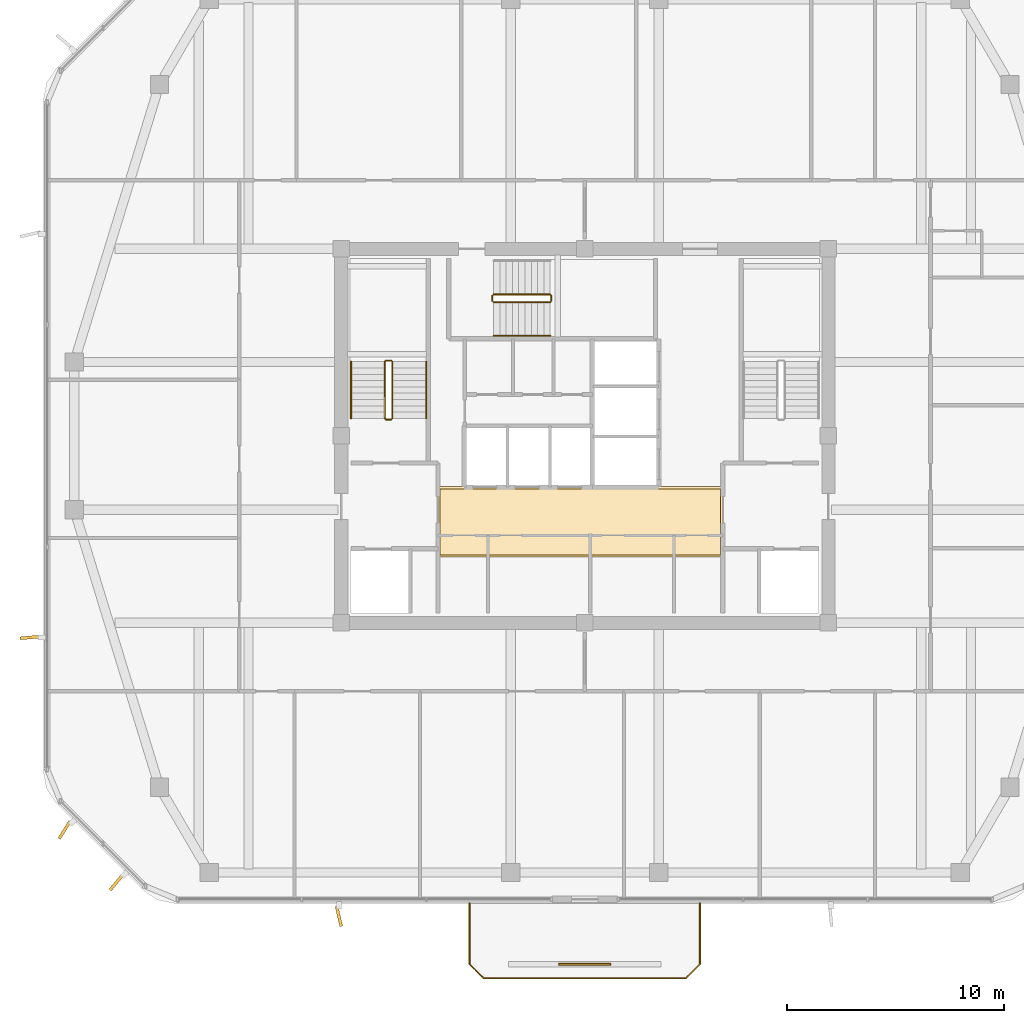
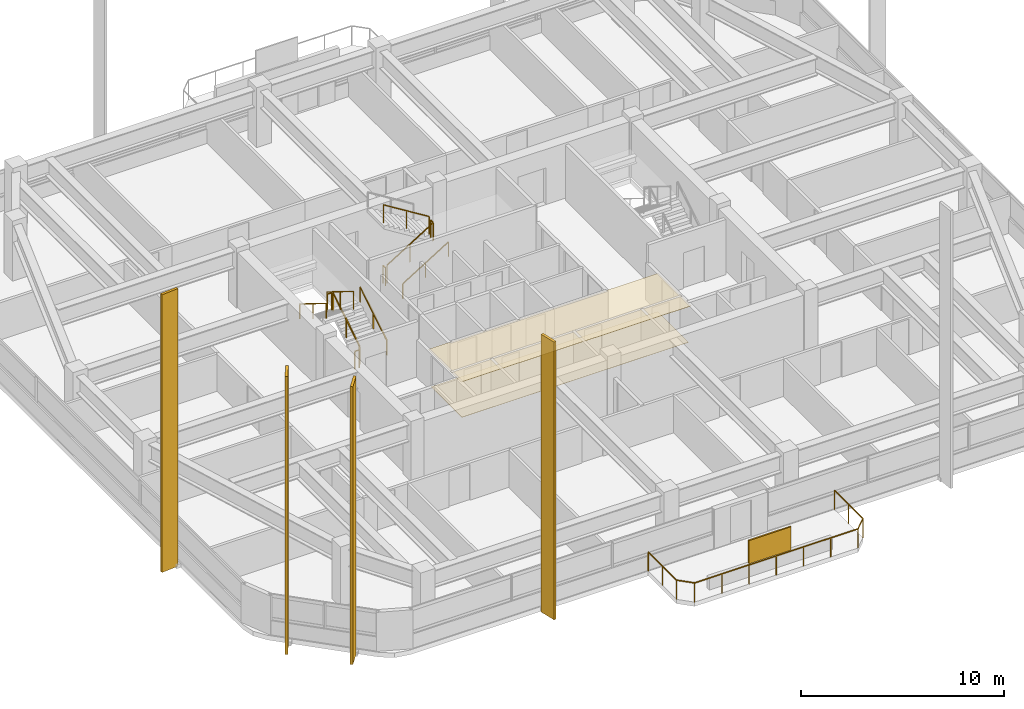
# One storey, part 11 of 13: 12 railings, 5 shading devices, 2 coverings.
"""IFC4 building model written with IfcOpenShell, lengths in metres."""

import ifcopenshell
import ifcopenshell.guid

model = None  # the IFC model being written
_history = None  # IfcOwnerHistory: only IFC2X3 demands one
_inside = {}  # id of a spatial element -> (the spatial element, [elements in it])
_under = {}  # id of a project, library or spatial element -> (it, [spatial elements below it])
_declared = {}  # id of a project -> (the project, [libraries it declares])
_typed = {}  # id of a type object -> (the type object, [elements of that type])
_made_of = {}  # id of a material, layer set ... -> (it, [elements and type objects made of it])


def new_model(schema):
    """Start an empty IFC model of exactly this schema.

    Asked for "IFC4X3", IfcOpenShell would pick the latest addendum, in which some entities
    have other attributes; the version numbers below select the first issue.
    IFC2X3 requires an IfcOwnerHistory on every rooted entity: one is made here for all.
    """
    global model, _history
    if schema == "IFC4X3":
        model = ifcopenshell.file(schema_version=(4, 3, 0, 0))
    else:
        model = ifcopenshell.file(schema=schema)
    _inside.clear()
    _under.clear()
    _declared.clear()
    _typed.clear()
    _made_of.clear()
    _history = None
    if model.schema == "IFC2X3":
        org = make("IfcOrganization", Name="unknown")
        user = make(
            "IfcPersonAndOrganization",
            ThePerson=make("IfcPerson", FamilyName="unknown"),
            TheOrganization=org,
        )
        app = make(
            "IfcApplication",
            ApplicationDeveloper=org,
            Version="unknown",
            ApplicationFullName="unknown",
            ApplicationIdentifier="unknown",
        )
        _history = make(
            "IfcOwnerHistory",
            OwningUser=user,
            OwningApplication=app,
            ChangeAction="ADDED",
            CreationDate=0,
        )
    return model


def make(cls, **values):
    """One entity of the class cls with the attributes given. An attribute that is None is left unset."""
    return model.create_entity(
        cls, **{name: value for name, value in values.items() if value is not None}
    )


def rooted(cls, **values):
    """An entity with a GlobalId (a new one), such as an element, a storey or a relation."""
    return make(cls, GlobalId=ifcopenshell.guid.new(), OwnerHistory=_history, **values)


def si_unit(unit_type, name, prefix=None):
    """IfcSIUnit, for example si_unit("LENGTHUNIT", "METRE", prefix="MILLI")."""
    return make("IfcSIUnit", UnitType=unit_type, Prefix=prefix, Name=name)


def derived_unit(unit_type, elements):
    """IfcDerivedUnit: a product of units, each with its exponent."""
    return make(
        "IfcDerivedUnit",
        Elements=[
            make("IfcDerivedUnitElement", Unit=unit, Exponent=power)
            for unit, power in elements
        ],
        UnitType=unit_type,
    )


def assignment(units):
    """IfcUnitAssignment: the units of a project."""
    return None if units is None else make("IfcUnitAssignment", Units=units)


def point(xyz):
    """IfcCartesianPoint."""
    return None if xyz is None else make("IfcCartesianPoint", Coordinates=xyz)


def direction(xyz):
    """IfcDirection."""
    return None if xyz is None else make("IfcDirection", DirectionRatios=xyz)


def frame(location, z_axis=None, x_axis=None):
    """IfcAxis2Placement3D, a coordinate frame: its origin and axes. An axis left out is left unset."""
    return make(
        "IfcAxis2Placement3D",
        Location=point(location),
        Axis=direction(z_axis),
        RefDirection=direction(x_axis),
    )


def frame_2d(location, x_axis=None):
    """IfcAxis2Placement2D, a coordinate frame in the plane: its origin and x axis."""
    return make(
        "IfcAxis2Placement2D", Location=point(location), RefDirection=direction(x_axis)
    )


def origin():
    """The frame at (0, 0, 0) with its axes left unset."""
    return frame((0.0, 0.0, 0.0))


def origin_2d():
    """The frame at (0, 0) in the plane with its x axis left unset."""
    return frame_2d((0.0, 0.0))


def place(relative_to, where):
    """IfcLocalPlacement: puts the frame where relative to a parent placement (None: the world)."""
    return make(
        "IfcLocalPlacement", PlacementRelTo=relative_to, RelativePlacement=where
    )


def context(
    kind, dimensions, precision=None, world=None, true_north=None, identifier=None
):
    """IfcGeometricRepresentationContext, for example the 3D "Model" context."""
    return make(
        "IfcGeometricRepresentationContext",
        ContextIdentifier=identifier,
        ContextType=kind,
        CoordinateSpaceDimension=dimensions,
        Precision=precision,
        WorldCoordinateSystem=world,
        TrueNorth=true_north,
    )


def subcontext(parent, identifier, kind, view, scale=None):
    """IfcGeometricRepresentationSubContext, for example "Body" below "Model"."""
    return make(
        "IfcGeometricRepresentationSubContext",
        ContextIdentifier=identifier,
        ContextType=kind,
        ParentContext=parent,
        TargetScale=scale,
        TargetView=view,
    )


def project(units=None, contexts=None):
    """IfcProject with its units and contexts."""
    return rooted(
        "IfcProject",
        Name="project",
        RepresentationContexts=contexts,
        UnitsInContext=assignment(units),
    )


def spatial(cls, under=None, at=None, **own):
    """A site, building, storey or space (cls), placed at a placement, below another one or the project."""
    s = rooted(cls, ObjectPlacement=at, **own)
    if under is not None:
        _under.setdefault(under.id(), (under, []))[1].append(s)
    return s


def polyline(points):
    """IfcPolyline through the points."""
    return make("IfcPolyline", Points=[point(p) for p in points])


def profile(cls, at=None, kind="AREA", **sizes):
    """A parametric profile (cls). Its sizes go by their IFC names, for example OverallWidth=200.0."""
    return make(cls, ProfileType=kind, Position=at, **sizes)


def rectangle(**sizes):
    """IfcRectangleProfileDef."""
    return profile("IfcRectangleProfileDef", **sizes)


def outline(outer, holes=None, kind="AREA"):
    """IfcArbitraryClosedProfileDef: a profile drawn as a closed curve; with holes, ...WithVoids."""
    if holes is None:
        return make("IfcArbitraryClosedProfileDef", ProfileType=kind, OuterCurve=outer)
    return make(
        "IfcArbitraryProfileDefWithVoids",
        ProfileType=kind,
        OuterCurve=outer,
        InnerCurves=holes,
    )


def extrude(swept, where, along, depth):
    """IfcExtrudedAreaSolid: the profile swept, set in the frame where, extruded along a direction by depth."""
    return make(
        "IfcExtrudedAreaSolid",
        SweptArea=swept,
        Position=where,
        ExtrudedDirection=direction(along),
        Depth=depth,
    )


def shape(context_of_items, identifier, shape_type, items):
    """IfcShapeRepresentation: the items that make up one representation, for example the "Body"."""
    return make(
        "IfcShapeRepresentation",
        ContextOfItems=context_of_items,
        RepresentationIdentifier=identifier,
        RepresentationType=shape_type,
        Items=items,
    )


def material(Name=None, Category=None):
    """IfcMaterial."""
    return make("IfcMaterial", Name=Name, Category=Category)


def layer(
    of_material, thickness, ventilated=None, Name=None, Category=None, Priority=None
):
    """IfcMaterialLayer: one layer of a wall or slab, of a material (None: an air gap)."""
    return make(
        "IfcMaterialLayer",
        Material=of_material,
        LayerThickness=thickness,
        IsVentilated=ventilated,
        Name=Name,
        Category=Category,
        Priority=Priority,
    )


def layer_set(layers, Name=None):
    """IfcMaterialLayerSet."""
    return make("IfcMaterialLayerSet", MaterialLayers=layers, LayerSetName=Name)


def made_of(thing, what):
    """Note that an element or type object is made of a material, layer set ...; save() writes the relation."""
    if what is not None:
        _made_of.setdefault(what.id(), (what, []))[1].append(thing)
    return thing


def type_object(cls, material=None, **own):
    """A type object (cls), such as IfcWallType, which elements share."""
    return made_of(rooted(cls, **own), material)


def element(
    cls,
    number,
    at=None,
    inside=None,
    cuts=None,
    type_object=None,
    material=None,
    context=None,
    identifier="Body",
    shape_type=None,
    held_by="IfcProductDefinitionShape",
    body=None,
    shapes=None,
    **own,
):
    """One element of the class cls, such as IfcWall. Its Tag is "e" and its number.

    at: its placement. inside: the storey or other place that contains it. cuts: it is an
    opening in that element (IfcRelVoidsElement). A single representation is given by context,
    identifier, shape_type and body (its items); several are given by shapes. held_by: the class
    of the entity that holds the representations. save() writes the other relations.
    """
    e = rooted(cls, Tag="e%d" % number, ObjectPlacement=at, **own)
    if body is not None:
        shapes = [shape(context, identifier, shape_type, body)]
    if shapes is not None:
        e.Representation = make(held_by, Representations=shapes)
    if inside is not None:
        _inside.setdefault(inside.id(), (inside, []))[1].append(e)
    if cuts is not None:
        rooted(
            "IfcRelVoidsElement", RelatingBuildingElement=cuts, RelatedOpeningElement=e
        )
    if type_object is not None:
        _typed.setdefault(type_object.id(), (type_object, []))[1].append(e)
    return made_of(e, material)


def aggregate(whole, parts):
    """IfcRelAggregates: a whole, such as a stair, and the parts it consists of."""
    return rooted("IfcRelAggregates", RelatingObject=whole, RelatedObjects=parts)


def save(model, path):
    """Write the relations noted so far, then the file.

    IfcRelAggregates (storeys below a building ...), IfcRelContainedInSpatialStructure (elements
    in a storey), IfcRelDefinesByType, IfcRelAssociatesMaterial and IfcRelDeclares: one each for
    every whole, place, type object, material and project.
    """
    for whole, parts in _under.values():
        aggregate(whole, parts)
    for where, things in _inside.values():
        rooted(
            "IfcRelContainedInSpatialStructure",
            RelatedElements=things,
            RelatingStructure=where,
        )
    for kind, things in _typed.values():
        rooted("IfcRelDefinesByType", RelatedObjects=things, RelatingType=kind)
    for what, things in _made_of.values():
        rooted("IfcRelAssociatesMaterial", RelatedObjects=things, RelatingMaterial=what)
    for by, libraries in _declared.values():
        rooted("IfcRelDeclares", RelatingContext=by, RelatedDefinitions=libraries)
    model.write(path)


model = new_model("IFC4")

# Units and contexts
model_context = context("Model", 3, precision=1e-05, world=origin(), true_north=direction((0.0, 1.0)))
body_context = subcontext(model_context, "Body", "Model", "MODEL_VIEW")
ifc_project = project(units=[si_unit("LENGTHUNIT", "METRE"), si_unit("AREAUNIT", "SQUARE_METRE"), si_unit("VOLUMEUNIT", "CUBIC_METRE"), si_unit("PLANEANGLEUNIT", "RADIAN"), si_unit("MASSUNIT", "GRAM", prefix="KILO"), derived_unit("THERMALTRANSMITTANCEUNIT", [(si_unit("POWERUNIT", "WATT"), 1), (si_unit("LENGTHUNIT", "METRE"), -2), (si_unit("THERMODYNAMICTEMPERATUREUNIT", "KELVIN"), -1)])], contexts=[model_context])

# Site, building, storey
site_placement = place(None, origin())
site = spatial("IfcSite", under=ifc_project, at=site_placement, CompositionType="ELEMENT")
building_placement = place(site_placement, origin())
building = spatial("IfcBuilding", under=site, at=building_placement, Name="Koralith Skygarden Medical Center", CompositionType="ELEMENT")
storey_placement = place(building_placement, frame((0.0, 0.0, 282.419921875)))
storey = spatial("IfcBuildingStorey", under=building, at=storey_placement, Name="L73", CompositionType="ELEMENT", Elevation=282.419921875)

# Covering
ifc_material_1 = material(Name="Acoustic Mineral Tile")
ifc_layer_1 = layer(ifc_material_1, 0.02001953125)
ifc_layer_set_1 = layer_set([ifc_layer_1], Name="Acoustic Mineral Tile")
covering_type_1 = type_object("IfcCoveringType", Name="Acoustic Hygienic Mineral Ceiling 20", PredefinedType="CEILING", material=ifc_layer_set_1)
covering_1_placement = place(storey_placement, frame((0.0, 0.0, 2.215087890625)))
element("IfcCovering", 1, at=covering_1_placement, inside=storey, type_object=covering_type_1, Name="L73 Core Lobby Acoustic Ceiling", PredefinedType="CEILING", context=body_context, shape_type="SweptSolid", body=[
    extrude(outline(polyline([(30.25, 20.320068359375), (43.35009765625, 20.320068359375), (43.35009765625, 23.56005859375), (30.25, 23.56005859375), (30.25, 20.320068359375)])), origin(), (0.0, 0.0, 1.0), 0.02001953125),
])

# Shading devices
ifc_material_2 = material(Name="Aluminium 6063-T6", Category="aluminium")
shading_device_type_1 = type_object("IfcShadingDeviceType", Name="Limestone-Clad Solar Storm Fin 950", PredefinedType="USERDEFINED", material=ifc_material_2)
for number, where, z_axis, x_axis, name in (
    (2, (25.68994140625, 3.804931640625, -0.199951171875), (0.0, 0.0, 1.0), (0.225053088905, -0.974346502623, 0.0), "L73 S Harmonic Solar Storm Fin 1"),
    (3, (11.5048828125, 16.6298828125, -0.199951171875), (0.0, 0.0, 1.0), (-0.995897043604, -0.090493527621, 0.0), "L73 W Harmonic Solar Storm Fin 2"),
    (4, (13.080078125, 7.778076171875, -0.199951171875), (0.0, 0.0, 1.0), (-0.529830453939, -0.848103584522, 0.0), "L73 SW Harmonic Solar Storm Fin 1"),
    (5, (15.47802734375, 5.3798828125, -0.199951171875), (0.0, 0.0, 1.0), (-0.640216965862, -0.76819413993, 0.0), "L73 SW Harmonic Solar Storm Fin 2"),
):
    element("IfcShadingDevice", number, at=place(storey_placement, frame(where, z_axis=z_axis, x_axis=x_axis)), inside=storey, type_object=shading_device_type_1, Name=name, ObjectType="SOLAR FIN", PredefinedType="USERDEFINED", context=body_context, shape_type="SweptSolid", body=[
        extrude(rectangle(XDim=0.949951171875, YDim=0.139892578125, at=origin_2d()), origin(), (0.0, 0.0, 1.0), 16.7099609375),
    ])

# Railing
ifc_material_3 = material(Name="Steel ASTM A500 Grade C", Category="steel")
railing_type_1 = type_object("IfcRailingType", Name="Outdoor Terrace & Balcony Safety Guardrail 1180", PredefinedType="GUARDRAIL", material=ifc_material_3)
railing_1_placement = place(storey_placement, frame((31.699951171875, 4.39990234375, 0.0)))
element("IfcRailing", 6, at=railing_1_placement, inside=storey, type_object=railing_type_1, Name="L73 S Balcony Perimeter Guardrail", PredefinedType="GUARDRAIL", context=body_context, shape_type="SweptSolid", body=[
    extrude(rectangle(XDim=0.050048828125, YDim=0.050048828125, at=origin_2d()), frame((0.0, -0.001953125, 1.15478515625), z_axis=(0.0, -1.0, 0.0), x_axis=(1.0, 0.0, 0.0)), (0.0, 0.0, 1.0), 2.7958984375),
    extrude(rectangle(XDim=0.050048828125, YDim=0.050048828125, at=origin_2d()), frame((0.00146484375, -2.80126953125, 1.15478515625), z_axis=(0.707106781187, -0.707106781187, 0.0), x_axis=(0.707106781187, 0.707106781187, 0.0)), (0.0, 0.0, 1.0), 0.91552734375),
    extrude(rectangle(XDim=0.050048828125, YDim=0.050048828125, at=origin_2d()), frame((0.652099609375, -3.449951171875, 1.15478515625), z_axis=(1.0, 0.0, 0.0), x_axis=(0.0, 1.0, 0.0)), (0.0, 0.0, 1.0), 9.2958984375),
    extrude(rectangle(XDim=0.050048828125, YDim=0.050048828125, at=origin_2d()), frame((9.951416015625, -3.448486328125, 1.15478515625), z_axis=(0.707106781187, 0.707106781187, 0.0), x_axis=(-0.707106781187, 0.707106781187, 0.0)), (0.0, 0.0, 1.0), 0.91552734375),
    extrude(rectangle(XDim=0.050048828125, YDim=0.050048828125, at=origin_2d()), frame((10.60009765625, -2.7978515625, 1.15478515625), z_axis=(0.0, 1.0, 0.0), x_axis=(-1.0, 0.0, 0.0)), (0.0, 0.0, 1.0), 2.7958984375),
    extrude(rectangle(XDim=0.0419921875, YDim=0.0419921875, at=origin_2d()), origin(), (0.0, 0.0, 1.0), 1.1279296875),
    extrude(rectangle(XDim=0.0419921875, YDim=0.0419921875, at=origin_2d()), frame((0.0, -1.39990234375, 0.0)), (0.0, 0.0, 1.0), 1.1279296875),
    extrude(rectangle(XDim=0.0419921875, YDim=0.0419921875, at=origin_2d()), frame((0.0, -2.7998046875, 0.0)), (0.0, 0.0, 1.0), 1.1279296875),
    extrude(rectangle(XDim=0.0419921875, YDim=0.0419921875, at=origin_2d()), frame((0.650146484375, -3.449951171875, 0.0)), (0.0, 0.0, 1.0), 1.1279296875),
    extrude(rectangle(XDim=0.0419921875, YDim=0.0419921875, at=origin_2d()), frame((2.2001953125, -3.449951171875, 0.0)), (0.0, 0.0, 1.0), 1.1279296875),
    extrude(rectangle(XDim=0.0419921875, YDim=0.0419921875, at=origin_2d()), frame((3.75, -3.449951171875, 0.0)), (0.0, 0.0, 1.0), 1.1279296875),
    extrude(rectangle(XDim=0.0419921875, YDim=0.0419921875, at=origin_2d()), frame((5.300048828125, -3.449951171875, 0.0)), (0.0, 0.0, 1.0), 1.1279296875),
    extrude(rectangle(XDim=0.0419921875, YDim=0.0419921875, at=origin_2d()), frame((6.85009765625, -3.449951171875, 0.0)), (0.0, 0.0, 1.0), 1.1279296875),
    extrude(rectangle(XDim=0.0419921875, YDim=0.0419921875, at=origin_2d()), frame((8.39990234375, -3.449951171875, 0.0)), (0.0, 0.0, 1.0), 1.1279296875),
    extrude(rectangle(XDim=0.0419921875, YDim=0.0419921875, at=origin_2d()), frame((9.949951171875, -3.449951171875, 0.0)), (0.0, 0.0, 1.0), 1.1279296875),
    extrude(rectangle(XDim=0.0419921875, YDim=0.0419921875, at=origin_2d()), frame((10.60009765625, -2.7998046875, 0.0)), (0.0, 0.0, 1.0), 1.1279296875),
    extrude(rectangle(XDim=0.0419921875, YDim=0.0419921875, at=origin_2d()), frame((10.60009765625, -1.39990234375, 0.0)), (0.0, 0.0, 1.0), 1.1279296875),
    extrude(rectangle(XDim=0.0419921875, YDim=0.0419921875, at=origin_2d()), frame((10.60009765625, 0.0, 0.0)), (0.0, 0.0, 1.0), 1.1279296875),
])

# Shading device
ifc_layer_2 = layer(ifc_material_2, 0.080078125)
ifc_layer_set_2 = layer_set([ifc_layer_2], Name="Aluminium 6063-T6")
shading_device_type_2 = type_object("IfcShadingDeviceType", Name="Perforated Biophilic Balcony Trellis Screen", PredefinedType="USERDEFINED", material=ifc_layer_set_2)
shading_device_placement = place(storey_placement, frame((37.0, 1.60009765625, 0.72021484375), z_axis=(0.0, 0.0, 1.0), x_axis=(1.0, 0.0, 0.0)))
element("IfcShadingDevice", 7, at=shading_device_placement, inside=storey, type_object=shading_device_type_2, Name="L73 S Biophilic Balcony Trellis Screen", ObjectType="HURRICANE SCREEN", PredefinedType="USERDEFINED", context=body_context, shape_type="SweptSolid", body=[
    extrude(rectangle(XDim=2.39990234375, YDim=0.080078125, at=origin_2d()), origin(), (0.0, 0.0, 1.0), 1.39990234375),
])

# Covering
ifc_material_4 = material(Name="Medical Terrazzo Flooring")
ifc_layer_3 = layer(ifc_material_4, 0.014892578125)
ifc_layer_set_3 = layer_set([ifc_layer_3], Name="Medical Terrazzo Flooring")
covering_type_2 = type_object("IfcCoveringType", Name="Seamless Antimicrobial Terrazzo Flooring 15", PredefinedType="FLOORING", material=ifc_layer_set_3)
covering_2_placement = place(storey_placement, origin())
element("IfcCovering", 8, at=covering_2_placement, inside=storey, type_object=covering_type_2, Name="L73 Core Lobby Terrazzo Flooring", PredefinedType="FLOORING", context=body_context, shape_type="SweptSolid", body=[
    extrude(outline(polyline([(30.35009765625, 20.419921875), (43.25, 20.419921875), (43.25, 23.4599609375), (30.35009765625, 23.4599609375), (30.35009765625, 20.419921875)])), origin(), (0.0, 0.0, 1.0), 0.01513671875),
])

# Railings
railing_type_2 = type_object("IfcRailingType", Name="Stair Flight Tubular Handrail 920", PredefinedType="HANDRAIL", material=ifc_material_3)
railing_2_placement = place(storey_placement, frame((29.699951171875, 26.699951171875, 0.18017578125)))
element("IfcRailing", 9, at=railing_2_placement, inside=storey, type_object=railing_type_2, Name="L73 ST1 stair handrail 1", PredefinedType="HANDRAIL", context=body_context, shape_type="SweptSolid", body=[
    extrude(rectangle(XDim=0.050048828125, YDim=0.050048828125, at=origin_2d()), frame((0.0, 0.001708984375, 0.89599609375), z_axis=(0.0, 0.849668407637, 0.527317358963), x_axis=(-1.0, 0.0, 0.0)), (0.0, 0.0, 1.0), 3.06787109375),
    extrude(rectangle(XDim=0.0419921875, YDim=0.0419921875, at=origin_2d()), origin(), (0.0, 0.0, 1.0), 0.867919921875),
    extrude(rectangle(XDim=0.0419921875, YDim=0.0419921875, at=origin_2d()), frame((0.0, 1.30517578125, 0.81005859375)), (0.0, 0.0, 1.0), 0.867919921875),
    extrude(rectangle(XDim=0.0419921875, YDim=0.0419921875, at=origin_2d()), frame((0.0, 2.610107421875, 1.619873046875)), (0.0, 0.0, 1.0), 0.867919921875),
])
railing_3_placement = place(storey_placement, frame((26.25, 29.31005859375, 1.97998046875)))
element("IfcRailing", 10, at=railing_3_placement, inside=storey, type_object=railing_type_2, Name="L73 ST1 stair handrail 2", PredefinedType="HANDRAIL", context=body_context, shape_type="SweptSolid", body=[
    extrude(rectangle(XDim=0.050048828125, YDim=0.050048828125, at=origin_2d()), frame((0.0, -0.001708984375, 0.89599609375), z_axis=(0.0, -0.849632798774, 0.527374731332), x_axis=(1.0, 0.0, 0.0)), (0.0, 0.0, 1.0), 3.068115234375),
    extrude(rectangle(XDim=0.0419921875, YDim=0.0419921875, at=origin_2d()), origin(), (0.0, 0.0, 1.0), 0.867919921875),
    extrude(rectangle(XDim=0.0419921875, YDim=0.0419921875, at=origin_2d()), frame((0.0, -1.30517578125, 0.81005859375)), (0.0, 0.0, 1.0), 0.867919921875),
    extrude(rectangle(XDim=0.0419921875, YDim=0.0419921875, at=origin_2d()), frame((0.0, -2.610107421875, 1.6201171875)), (0.0, 0.0, 1.0), 0.867919921875),
])
railing_4_placement = place(storey_placement, frame((32.800048828125, 30.5, 0.18017578125)))
element("IfcRailing", 11, at=railing_4_placement, inside=storey, type_object=railing_type_2, Name="L73 ST3 stair handrail 1", PredefinedType="HANDRAIL", context=body_context, shape_type="SweptSolid", body=[
    extrude(rectangle(XDim=0.050048828125, YDim=0.050048828125, at=origin_2d()), frame((0.001708984375, 0.0, 0.89599609375), z_axis=(0.849646306263, 0.0, 0.527352969322), x_axis=(0.0, 1.0, 0.0)), (0.0, 0.0, 1.0), 3.067626953125),
    extrude(rectangle(XDim=0.0419921875, YDim=0.0419921875, at=origin_2d()), origin(), (0.0, 0.0, 1.0), 0.867919921875),
    extrude(rectangle(XDim=0.0419921875, YDim=0.0419921875, at=origin_2d()), frame((1.304931640625, 0.0, 0.81005859375)), (0.0, 0.0, 1.0), 0.867919921875),
    extrude(rectangle(XDim=0.0419921875, YDim=0.0419921875, at=origin_2d()), frame((2.60986328125, 0.0, 1.619873046875)), (0.0, 0.0, 1.0), 0.867919921875),
])
railing_type_3 = type_object("IfcRailingType", Name="Stair Well Safety Guardrail 1100", PredefinedType="GUARDRAIL", material=ifc_material_3)
railing_5_placement = place(storey_placement, frame((28.14990234375, 26.699951171875, 0.18017578125)))
element("IfcRailing", 12, at=railing_5_placement, inside=storey, type_object=railing_type_3, Name="L73 ST1 stair guard 1", PredefinedType="GUARDRAIL", context=body_context, shape_type="SweptSolid", body=[
    extrude(rectangle(XDim=0.050048828125, YDim=0.050048828125, at=origin_2d()), frame((0.0, 0.001708984375, 1.076171875), z_axis=(0.0, 0.849668407637, 0.527317358963), x_axis=(-1.0, 0.0, 0.0)), (0.0, 0.0, 1.0), 3.06787109375),
    extrude(rectangle(XDim=0.0419921875, YDim=0.0419921875, at=origin_2d()), origin(), (0.0, 0.0, 1.0), 1.048095703125),
    extrude(rectangle(XDim=0.0419921875, YDim=0.0419921875, at=origin_2d()), frame((0.0, 1.30517578125, 0.81005859375)), (0.0, 0.0, 1.0), 1.048095703125),
    extrude(rectangle(XDim=0.0419921875, YDim=0.0419921875, at=origin_2d()), frame((0.0, 2.610107421875, 1.619873046875)), (0.0, 0.0, 1.0), 1.048095703125),
])
railing_6_placement = place(storey_placement, frame((28.10009765625, 29.360107421875, 1.800048828125)))
element("IfcRailing", 13, at=railing_6_placement, inside=storey, type_object=railing_type_3, Name="L73 ST1 stair guard 2", PredefinedType="GUARDRAIL", context=body_context, shape_type="SweptSolid", body=[
    extrude(rectangle(XDim=0.050048828125, YDim=0.050048828125, at=origin_2d()), frame((-0.001953125, 0.0, 1.0751953125), z_axis=(-1.0, 0.0, 0.0), x_axis=(0.0, -1.0, 0.0)), (0.0, 0.0, 1.0), 0.24609375),
    extrude(rectangle(XDim=0.0419921875, YDim=0.0419921875, at=origin_2d()), origin(), (0.0, 0.0, 1.0), 1.048095703125),
    extrude(rectangle(XDim=0.0419921875, YDim=0.0419921875, at=origin_2d()), frame((-0.25, 0.0, 0.0)), (0.0, 0.0, 1.0), 1.048095703125),
])
railing_7_placement = place(storey_placement, frame((27.800048828125, 29.31005859375, 1.97998046875)))
element("IfcRailing", 14, at=railing_7_placement, inside=storey, type_object=railing_type_3, Name="L73 ST1 stair guard 3", PredefinedType="GUARDRAIL", context=body_context, shape_type="SweptSolid", body=[
    extrude(rectangle(XDim=0.050048828125, YDim=0.050048828125, at=origin_2d()), frame((0.0, -0.001708984375, 1.076171875), z_axis=(0.0, -0.849632798774, 0.527374731332), x_axis=(1.0, 0.0, 0.0)), (0.0, 0.0, 1.0), 3.068115234375),
    extrude(rectangle(XDim=0.0419921875, YDim=0.0419921875, at=origin_2d()), origin(), (0.0, 0.0, 1.0), 1.048095703125),
    extrude(rectangle(XDim=0.0419921875, YDim=0.0419921875, at=origin_2d()), frame((0.0, -1.30517578125, 0.81005859375)), (0.0, 0.0, 1.0), 1.048095703125),
    extrude(rectangle(XDim=0.0419921875, YDim=0.0419921875, at=origin_2d()), frame((0.0, -2.610107421875, 1.6201171875)), (0.0, 0.0, 1.0), 1.048095703125),
])
railing_8_placement = place(storey_placement, frame((28.10009765625, 26.64990234375, 0.0)))
element("IfcRailing", 15, at=railing_8_placement, inside=storey, type_object=railing_type_3, Name="L73 ST1 stair guard 4", PredefinedType="GUARDRAIL", context=body_context, shape_type="SweptSolid", body=[
    extrude(rectangle(XDim=0.050048828125, YDim=0.050048828125, at=origin_2d()), frame((-0.001953125, 0.0, 1.0751953125), z_axis=(-1.0, 0.0, 0.0), x_axis=(0.0, -1.0, 0.0)), (0.0, 0.0, 1.0), 0.24609375),
    extrude(rectangle(XDim=0.0419921875, YDim=0.0419921875, at=origin_2d()), origin(), (0.0, 0.0, 1.0), 1.048095703125),
    extrude(rectangle(XDim=0.0419921875, YDim=0.0419921875, at=origin_2d()), frame((-0.25, 0.0, 0.0)), (0.0, 0.0, 1.0), 1.048095703125),
])
railing_9_placement = place(storey_placement, frame((32.800048828125, 32.050048828125, 0.18017578125)))
element("IfcRailing", 16, at=railing_9_placement, inside=storey, type_object=railing_type_3, Name="L73 ST3 stair guard 1", PredefinedType="GUARDRAIL", context=body_context, shape_type="SweptSolid", body=[
    extrude(rectangle(XDim=0.050048828125, YDim=0.050048828125, at=origin_2d()), frame((0.001708984375, 0.0, 1.076171875), z_axis=(0.849646306263, 0.0, 0.527352969322), x_axis=(0.0, 1.0, 0.0)), (0.0, 0.0, 1.0), 3.067626953125),
    extrude(rectangle(XDim=0.0419921875, YDim=0.0419921875, at=origin_2d()), origin(), (0.0, 0.0, 1.0), 1.048095703125),
    extrude(rectangle(XDim=0.0419921875, YDim=0.0419921875, at=origin_2d()), frame((1.304931640625, 0.0, 0.81005859375)), (0.0, 0.0, 1.0), 1.048095703125),
    extrude(rectangle(XDim=0.0419921875, YDim=0.0419921875, at=origin_2d()), frame((2.60986328125, 0.0, 1.619873046875)), (0.0, 0.0, 1.0), 1.048095703125),
])
railing_10_placement = place(storey_placement, frame((35.4599609375, 32.10009765625, 1.800048828125)))
element("IfcRailing", 17, at=railing_10_placement, inside=storey, type_object=railing_type_3, Name="L73 ST3 stair guard 2", PredefinedType="GUARDRAIL", context=body_context, shape_type="SweptSolid", body=[
    extrude(rectangle(XDim=0.050048828125, YDim=0.050048828125, at=origin_2d()), frame((0.0, 0.001953125, 1.0751953125), z_axis=(0.0, 1.0, 0.0), x_axis=(-1.0, 0.0, 0.0)), (0.0, 0.0, 1.0), 0.24609375),
    extrude(rectangle(XDim=0.0419921875, YDim=0.0419921875, at=origin_2d()), origin(), (0.0, 0.0, 1.0), 1.048095703125),
    extrude(rectangle(XDim=0.0419921875, YDim=0.0419921875, at=origin_2d()), frame((0.0, 0.25, 0.0)), (0.0, 0.0, 1.0), 1.048095703125),
])
railing_11_placement = place(storey_placement, frame((35.409912109375, 32.39990234375, 1.97998046875)))
element("IfcRailing", 18, at=railing_11_placement, inside=storey, type_object=railing_type_3, Name="L73 ST3 stair guard 3", PredefinedType="GUARDRAIL", context=body_context, shape_type="SweptSolid", body=[
    extrude(rectangle(XDim=0.050048828125, YDim=0.050048828125, at=origin_2d()), frame((-0.001708984375, 0.0, 1.076171875), z_axis=(-0.849610693518, 0.0, 0.52741034258), x_axis=(0.0, -1.0, 0.0)), (0.0, 0.0, 1.0), 3.06787109375),
    extrude(rectangle(XDim=0.0419921875, YDim=0.0419921875, at=origin_2d()), origin(), (0.0, 0.0, 1.0), 1.048095703125),
    extrude(rectangle(XDim=0.0419921875, YDim=0.0419921875, at=origin_2d()), frame((-1.304931640625, 0.0, 0.81005859375)), (0.0, 0.0, 1.0), 1.048095703125),
    extrude(rectangle(XDim=0.0419921875, YDim=0.0419921875, at=origin_2d()), frame((-2.60986328125, 0.0, 1.6201171875)), (0.0, 0.0, 1.0), 1.048095703125),
])
railing_12_placement = place(storey_placement, frame((32.75, 32.10009765625, 0.0)))
element("IfcRailing", 19, at=railing_12_placement, inside=storey, type_object=railing_type_3, Name="L73 ST3 stair guard 4", PredefinedType="GUARDRAIL", context=body_context, shape_type="SweptSolid", body=[
    extrude(rectangle(XDim=0.050048828125, YDim=0.050048828125, at=origin_2d()), frame((0.0, 0.001953125, 1.0751953125), z_axis=(0.0, 1.0, 0.0), x_axis=(-1.0, 0.0, 0.0)), (0.0, 0.0, 1.0), 0.24609375),
    extrude(rectangle(XDim=0.0419921875, YDim=0.0419921875, at=origin_2d()), origin(), (0.0, 0.0, 1.0), 1.048095703125),
    extrude(rectangle(XDim=0.0419921875, YDim=0.0419921875, at=origin_2d()), frame((0.0, 0.25, 0.0)), (0.0, 0.0, 1.0), 1.048095703125),
])

save(model, "model.ifc")
